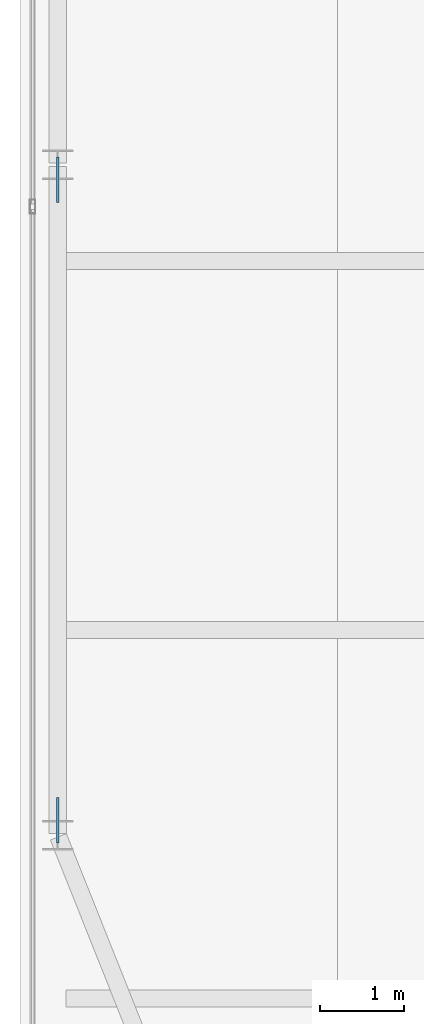
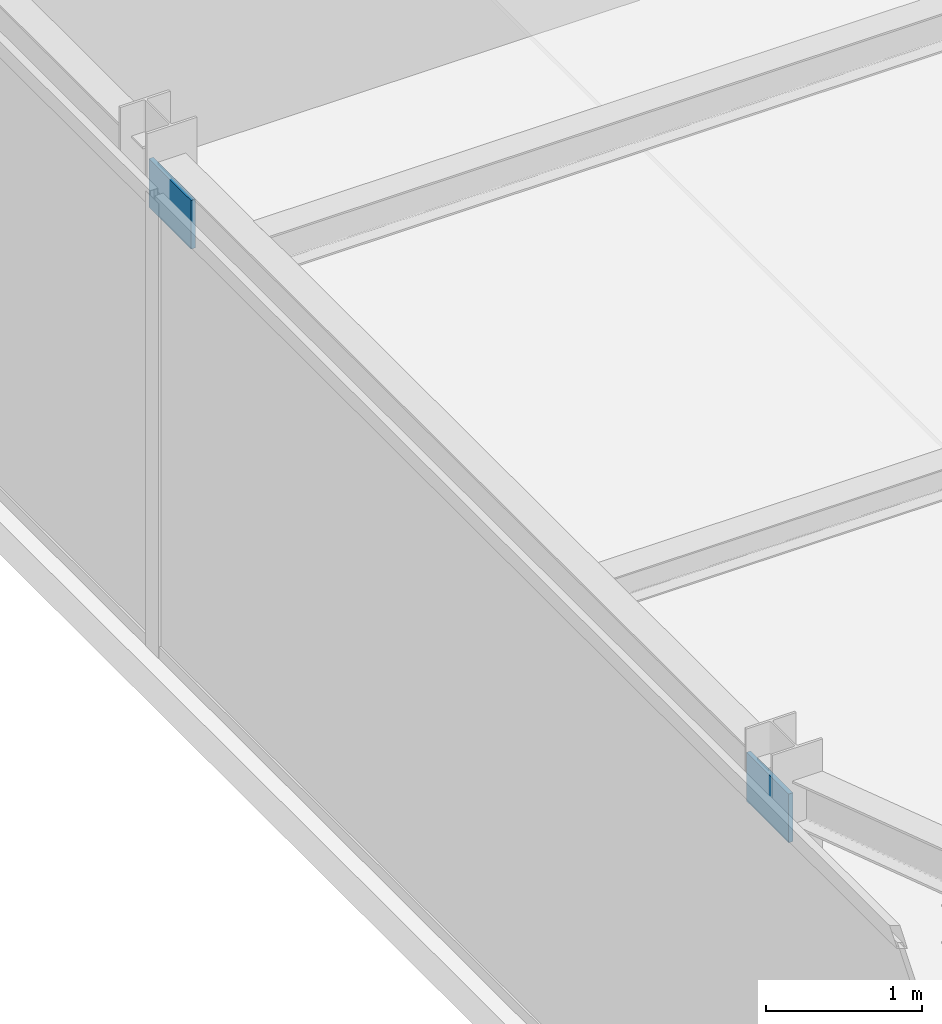
# One storey, part 20 of 25: 2 plates.
"""IFC4 building model written with IfcOpenShell, lengths in metres."""

from ifc_helpers import new_model, si_unit, direction, frame, origin, origin_2d, place, context, subcontext, project, spatial, rectangle, extrude, source, transform, mapped, material, layer, layer_set, type_object, type_shapes, element, save


model = new_model("IFC4")

# Units and contexts
model_context = context("Model", 3, precision=1e-05, world=origin(), true_north=direction((0.0, 1.0)))
body_context = subcontext(model_context, "Body", "Model", "MODEL_VIEW")
ifc_project = project(units=[si_unit("LENGTHUNIT", "METRE"), si_unit("AREAUNIT", "SQUARE_METRE"), si_unit("VOLUMEUNIT", "CUBIC_METRE"), si_unit("PLANEANGLEUNIT", "RADIAN"), si_unit("MASSUNIT", "GRAM", prefix="KILO")], contexts=[model_context])

# Site, building, storey
site_placement = place(None, origin())
site = spatial("IfcSite", under=ifc_project, at=site_placement, CompositionType="ELEMENT")
building_placement = place(site_placement, origin())
building = spatial("IfcBuilding", under=site, at=building_placement, Name="Varnel Quay Broadcast Tower", CompositionType="ELEMENT")
storey_placement = place(building_placement, frame((0.0, 0.0, 226.39990234375)))
storey = spatial("IfcBuildingStorey", under=building, at=storey_placement, Name="L56", CompositionType="ELEMENT", Elevation=226.39990234375)

# Plates
ifc_material = material(Name="Structural Steel CSA G40.21 350WT", Category="steel")
ifc_layer = layer(ifc_material, 0.031982421875, Name="Structural Steel CSA G40.21 350WT")
ifc_layer_set = layer_set([ifc_layer], Name="Structural Steel CSA G40.21 350WT")
plate_type = type_object("IfcPlateType", Name="Plate_EndCap", PredefinedType="USERDEFINED", material=ifc_layer_set)
shared_shape = source(origin(), body_context, "Body", "SweptSolid", [
    extrude(rectangle(XDim=0.5400390625, YDim=0.031982421875, at=origin_2d()), origin(), (0.0, 0.0, 1.0), 0.3798828125),
])
type_shapes(plate_type, [shared_shape])
for number, where, z_axis, x_axis, name in (
    (1, (9.949951171875, 28.8203125, 3.00537109375), (0.0, 0.0, 1.0), (0.0, 1.0, 0.0), "Zone 4 Mega-Brace W-FT2 Diag A End Connection Plate P1"),
    (2, (9.949951171875, 21.1796875, 3.00537109375), (0.0, 0.0, 1.0), (0.0, 1.0, 0.0), "Zone 4 Mega-Brace W-FT2 Diag B2 End Connection Plate P1"),
):
    element("IfcPlate", number, at=place(storey_placement, frame(where, z_axis=z_axis, x_axis=x_axis)), inside=storey, type_object=plate_type, Name=name, ObjectType="CAP_PLATE", PredefinedType="USERDEFINED", context=body_context, shape_type="MappedRepresentation", body=[
        mapped(shared_shape, transform((0.0, 0.0, 0.0), x_axis=(1.0, 0.0, 0.0), y_axis=(0.0, 1.0, 0.0), z_axis=(0.0, 0.0, 1.0), scale=1.0)),
    ])

save(model, "model.ifc")
